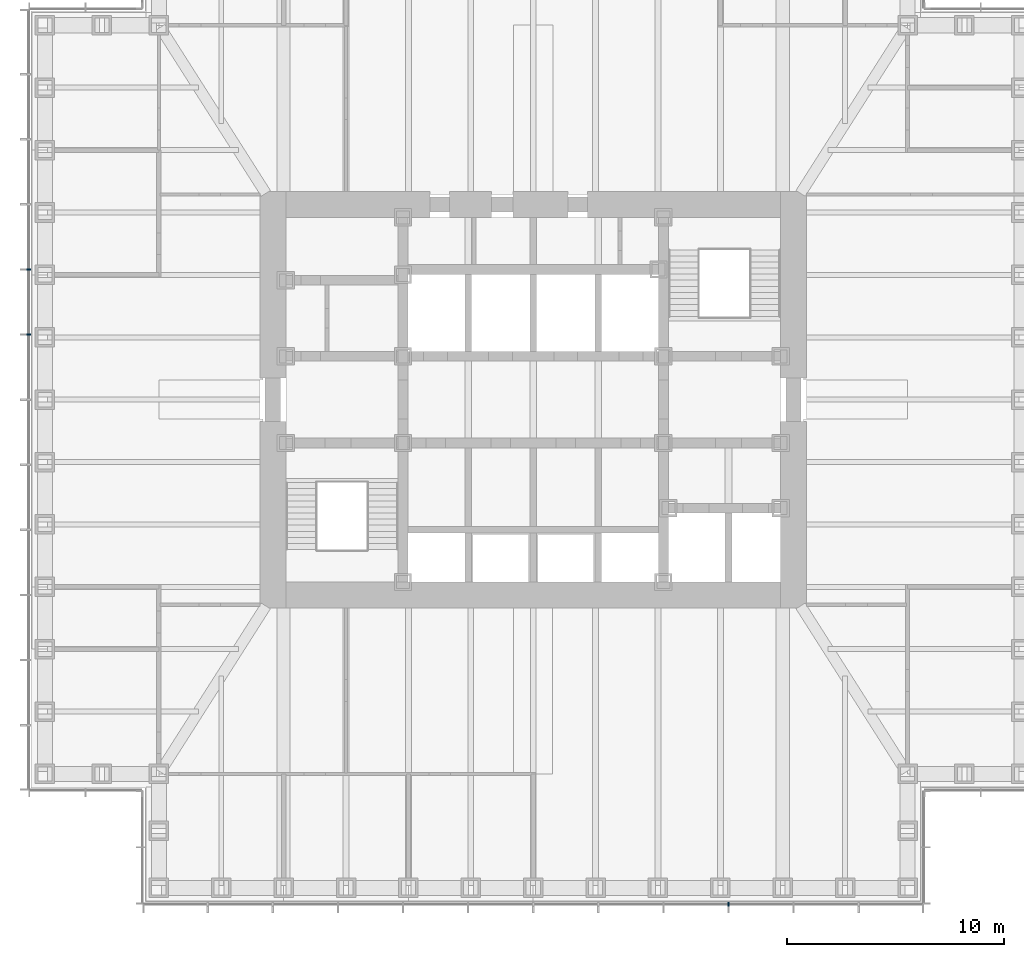
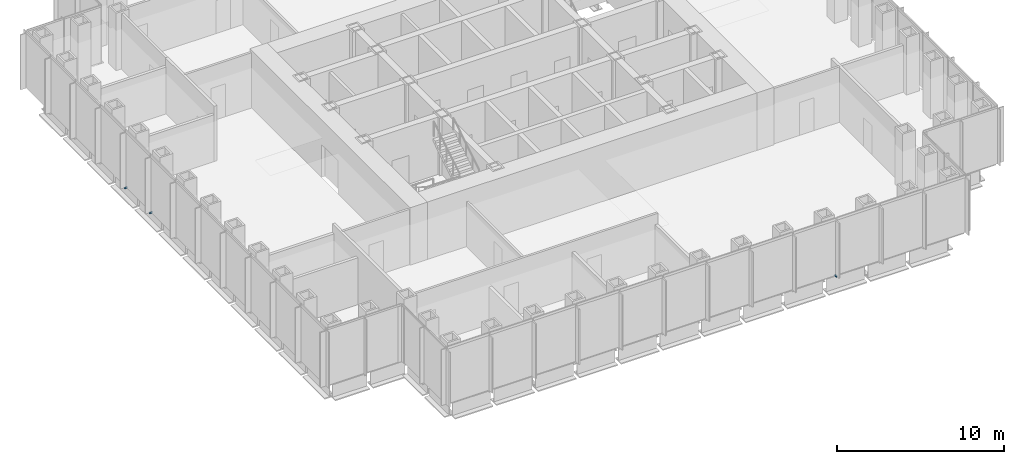
# One storey, part 12 of 16: 3 discrete accessories.
"""IFC4 building model written with IfcOpenShell, lengths in metres."""

from ifc_helpers import new_model, si_unit, direction, frame, origin, origin_2d, place, context, subcontext, project, spatial, rectangle, extrude, element, save


model = new_model("IFC4")

# Units and contexts
model_context = context("Model", 3, precision=1e-05, world=origin(), true_north=direction((0.0, 1.0)))
body_context = subcontext(model_context, "Body", "Model", "MODEL_VIEW")
ifc_project = project(units=[si_unit("LENGTHUNIT", "METRE"), si_unit("AREAUNIT", "SQUARE_METRE"), si_unit("VOLUMEUNIT", "CUBIC_METRE"), si_unit("PLANEANGLEUNIT", "RADIAN"), si_unit("MASSUNIT", "GRAM", prefix="KILO")], contexts=[model_context])

# Site, building, storey
site_placement = place(None, origin())
site = spatial("IfcSite", under=ifc_project, at=site_placement, CompositionType="ELEMENT")
building_placement = place(site_placement, origin())
building = spatial("IfcBuilding", under=site, at=building_placement, Name="Daluyong Arena Tower", CompositionType="ELEMENT")
storey_placement = place(building_placement, frame((0.0, 0.0, 162.699951171875)))
storey = spatial("IfcBuildingStorey", under=building, at=storey_placement, Name="L36", CompositionType="ELEMENT", Elevation=162.699951171875)

# Discrete accessories
for number, where, z_axis, x_axis, name in (
    (1, (65.0, 56.75, -0.10009765625), (0.0, 0.0, 1.0), (1.0, 0.0, 0.0), "curtain wall L36 S anchor bracket 10"),
    (2, (32.75, 86.0, -0.10009765625), (0.0, 0.0, 1.0), (0.0, -1.0, 0.0), "curtain wall L36 W anchor bracket 5"),
    (3, (32.75, 83.0, -0.10009765625), (0.0, 0.0, 1.0), (0.0, -1.0, 0.0), "curtain wall L36 W anchor bracket 6"),
):
    element("IfcDiscreteAccessory", number, at=place(storey_placement, frame(where, z_axis=z_axis, x_axis=x_axis)), inside=storey, Name=name, PredefinedType="BRACKET", context=body_context, shape_type="SweptSolid", body=[
        extrude(rectangle(XDim=0.080078125, YDim=0.199951171875, at=origin_2d()), origin(), (0.0, 0.0, 1.0), 0.10009765625),
    ])

save(model, "model.ifc")
